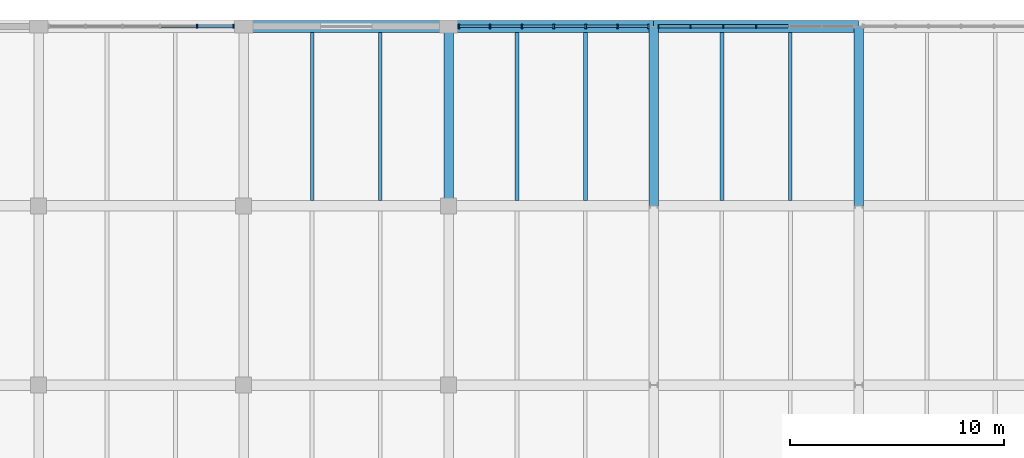
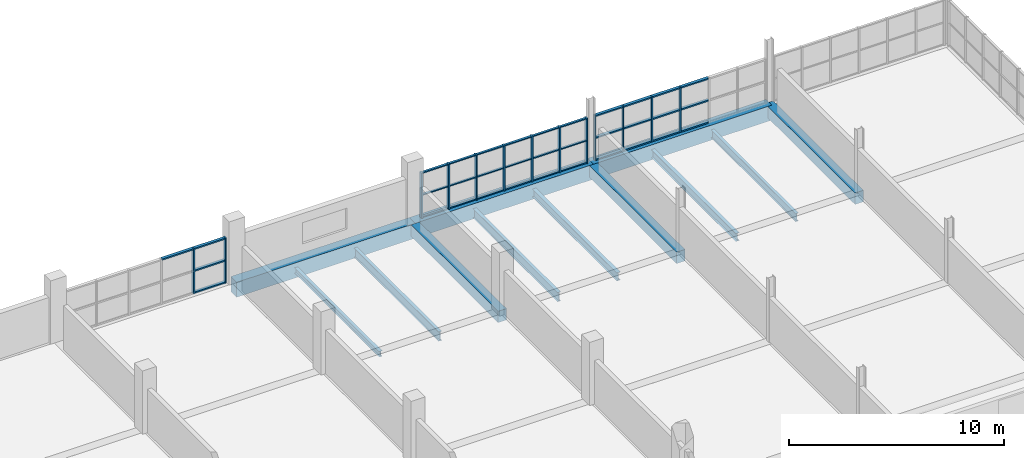
# One storey, part 86 of 147: 47 members, 12 beams, 3 elements without a shape of their own.
"""IFC4 building model written with IfcOpenShell, lengths in metres."""

from ifc_helpers import new_model, si_unit, direction, frame, origin, origin_2d, place, context, subcontext, project, spatial, rectangle, i_section, extrude, material, material_profile, profile_set, type_object, element, aggregate, save


model = new_model("IFC4")

# Units and contexts
model_context = context("Model", 3, precision=1e-05, world=origin(), true_north=direction((0.0, 1.0)))
body_context = subcontext(model_context, "Body", "Model", "MODEL_VIEW")
ifc_project = project(units=[si_unit("LENGTHUNIT", "METRE"), si_unit("AREAUNIT", "SQUARE_METRE"), si_unit("VOLUMEUNIT", "CUBIC_METRE"), si_unit("PLANEANGLEUNIT", "RADIAN"), si_unit("MASSUNIT", "GRAM", prefix="KILO")], contexts=[model_context])

# Site, building, storey
site_placement = place(None, origin())
site = spatial("IfcSite", under=ifc_project, at=site_placement, CompositionType="ELEMENT")
building_placement = place(site_placement, origin())
building = spatial("IfcBuilding", under=site, at=building_placement, Name="Oolite Switchyard Hospital", CompositionType="ELEMENT")
storey_placement = place(building_placement, frame((0.0, 0.0, 9.89990234375)))
storey = spatial("IfcBuildingStorey", under=building, at=storey_placement, Name="L02", CompositionType="ELEMENT", Elevation=9.89990234375)

# Beams
ifc_material_1 = material(Name="Concrete C40/50", Category="concrete")
ifc_material_profile_1 = material_profile(ifc_material_1, rectangle(XDim=0.449951171875, YDim=0.64990234375, at=origin_2d()), Name="RCB450X650")
ifc_profile_set_1 = profile_set([ifc_material_profile_1], Name="Concrete C40/50")
beam_type_1 = type_object("IfcBeamType", Name="BM-RC450X650", PredefinedType="BEAM", material=ifc_profile_set_1)
for number, where, z_axis, x_axis, name in (
    (1, (48.0, 126.0, -0.324951171875), (0.0, 1.0, 0.0), (-1.0, 0.0, 0.0), "L02 Y-Girder 1339"),
    (2, (57.60009765625, 126.0, -0.324951171875), (0.0, 1.0, 0.0), (-1.0, 0.0, 0.0), "L02 Y-Girder 1355"),
    (3, (67.199951171875, 126.0, -0.324951171875), (0.0, 1.0, 0.0), (-1.0, 0.0, 0.0), "L02 Y-Girder 1366"),
):
    element("IfcBeam", number, at=place(storey_placement, frame(where, z_axis=z_axis, x_axis=x_axis)), inside=storey, type_object=beam_type_1, Name=name, PredefinedType="BEAM", context=body_context, shape_type="SweptSolid", body=[
        extrude(rectangle(XDim=0.449951171875, YDim=0.64990234375, at=origin_2d()), origin(), (0.0, 0.0, 1.0), 8.39990234375),
    ])
ifc_material_profile_2 = material_profile(ifc_material_1, rectangle(XDim=0.550048828125, YDim=0.85009765625, at=origin_2d()), Name="RCB550X850")
ifc_profile_set_2 = profile_set([ifc_material_profile_2], Name="Concrete C40/50")
beam_type_2 = type_object("IfcBeamType", Name="BM-RC550X850", PredefinedType="BEAM", material=ifc_profile_set_2)
for number, where, z_axis, x_axis, name in (
    (4, (38.39990234375, 134.39990234375, -0.4248046875), (1.0, 0.0, 0.0), (0.0, 1.0, 0.0), "L02 X-Girder 1238"),
    (5, (48.0, 134.39990234375, -0.4248046875), (1.0, 0.0, 0.0), (0.0, 1.0, 0.0), "L02 X-Girder 1239"),
):
    element("IfcBeam", number, at=place(storey_placement, frame(where, z_axis=z_axis, x_axis=x_axis)), inside=storey, type_object=beam_type_2, Name=name, PredefinedType="BEAM", context=body_context, shape_type="SweptSolid", body=[
        extrude(rectangle(XDim=0.550048828125, YDim=0.85009765625, at=origin_2d()), origin(), (0.0, 0.0, 1.0), 9.60009765625),
    ])
beam_1_placement = place(storey_placement, frame((57.60009765625, 134.39990234375, -0.4248046875), z_axis=(1.0, 0.0, 0.0), x_axis=(0.0, 1.0, 0.0)))
element("IfcBeam", 6, at=beam_1_placement, inside=storey, type_object=beam_type_2, Name="L02 X-Girder 1240", PredefinedType="BEAM", context=body_context, shape_type="SweptSolid", body=[
    extrude(rectangle(XDim=0.550048828125, YDim=0.85009765625, at=origin_2d()), origin(), (0.0, 0.0, 1.0), 9.599853515625),
])
ifc_material_2 = material(Name="Steel ASTM A992 Grade 50", Category="steel")
ifc_material_profile_3 = material_profile(ifc_material_2, i_section(OverallWidth=0.1650390625, OverallDepth=0.31005859375, WebThickness=0.006103515625, FlangeThickness=0.010009765625, at=origin_2d()), Name="W12X26")
ifc_profile_set_3 = profile_set([ifc_material_profile_3], Name="Steel ASTM A992 Grade 50")
beam_type_3 = type_object("IfcBeamType", Name="BM-W12X26", PredefinedType="JOIST", material=ifc_profile_set_3)
beam_2_placement = place(storey_placement, frame((41.60009765625, 126.25, -0.414794921875), z_axis=(0.0, 1.0, 0.0), x_axis=(-1.0, 0.0, 0.0)))
element("IfcBeam", 7, at=beam_2_placement, inside=storey, type_object=beam_type_3, Name="L02 Secondary Steel Joist 1650", PredefinedType="JOIST", context=body_context, shape_type="SweptSolid", body=[
    extrude(i_section(OverallWidth=0.1650390625, OverallDepth=0.31005859375, WebThickness=0.006103515625, FlangeThickness=0.010009765625, at=origin_2d()), origin(), (0.0, 0.0, 1.0), 7.875),
])
ifc_material_profile_4 = material_profile(ifc_material_2, i_section(OverallWidth=0.153076171875, OverallDepth=0.455078125, WebThickness=0.008056640625, FlangeThickness=0.012939453125, at=origin_2d()), Name="W18X40")
ifc_profile_set_4 = profile_set([ifc_material_profile_4], Name="Steel ASTM A992 Grade 50")
beam_type_4 = type_object("IfcBeamType", Name="BM-W18X40", PredefinedType="JOIST", material=ifc_profile_set_4)
beam_3_placement = place(storey_placement, frame((64.0, 126.25, -0.48681640625), z_axis=(0.0, 1.0, 0.0), x_axis=(-1.0, 0.0, 0.0)))
element("IfcBeam", 8, at=beam_3_placement, inside=storey, type_object=beam_type_4, Name="L02 Secondary Steel Joist 1697", PredefinedType="JOIST", context=body_context, shape_type="SweptSolid", body=[
    extrude(i_section(OverallWidth=0.153076171875, OverallDepth=0.455078125, WebThickness=0.008056640625, FlangeThickness=0.012939453125, at=origin_2d()), origin(), (0.0, 0.0, 1.0), 7.875),
])
ifc_material_profile_5 = material_profile(ifc_material_2, i_section(OverallWidth=0.19091796875, OverallDepth=0.4599609375, WebThickness=0.010009765625, FlangeThickness=0.01611328125, at=origin_2d()), Name="W18X55")
ifc_profile_set_5 = profile_set([ifc_material_profile_5], Name="Steel ASTM A992 Grade 50")
beam_type_5 = type_object("IfcBeamType", Name="BM-W18X55", PredefinedType="JOIST", material=ifc_profile_set_5)
for number, where, z_axis, x_axis, name in (
    (9, (54.39990234375, 126.25, -0.489990234375), (0.0, 1.0, 0.0), (-1.0, 0.0, 0.0), "L02 Secondary Steel Joist 1679"),
    (10, (60.800048828125, 126.25, -0.489990234375), (0.0, 1.0, 0.0), (-1.0, 0.0, 0.0), "L02 Secondary Steel Joist 1696"),
):
    element("IfcBeam", number, at=place(storey_placement, frame(where, z_axis=z_axis, x_axis=x_axis)), inside=storey, type_object=beam_type_5, Name=name, PredefinedType="JOIST", context=body_context, shape_type="SweptSolid", body=[
        extrude(i_section(OverallWidth=0.19091796875, OverallDepth=0.4599609375, WebThickness=0.010009765625, FlangeThickness=0.01611328125, at=origin_2d()), origin(), (0.0, 0.0, 1.0), 7.875),
    ])
ifc_material_profile_6 = material_profile(ifc_material_2, i_section(OverallWidth=0.166015625, OverallDepth=0.529052734375, WebThickness=0.010009765625, FlangeThickness=0.013916015625, at=origin_2d()), Name="W21X50")
ifc_profile_set_6 = profile_set([ifc_material_profile_6], Name="Steel ASTM A992 Grade 50")
beam_type_6 = type_object("IfcBeamType", Name="BM-W21X50", PredefinedType="JOIST", material=ifc_profile_set_6)
for number, where, z_axis, x_axis, name in (
    (11, (44.800048828125, 126.25, -0.52392578125), (0.0, 1.0, 0.0), (-1.0, 0.0, 0.0), "L02 Secondary Steel Joist 1651"),
    (12, (51.199951171875, 126.25, -0.52392578125), (0.0, 1.0, 0.0), (-1.0, 0.0, 0.0), "L02 Secondary Steel Joist 1678"),
):
    element("IfcBeam", number, at=place(storey_placement, frame(where, z_axis=z_axis, x_axis=x_axis)), inside=storey, type_object=beam_type_6, Name=name, PredefinedType="JOIST", context=body_context, shape_type="SweptSolid", body=[
        extrude(i_section(OverallWidth=0.166015625, OverallDepth=0.529052734375, WebThickness=0.010009765625, FlangeThickness=0.013916015625, at=origin_2d()), origin(), (0.0, 0.0, 1.0), 7.875),
    ])

# Curtain wall, members
ifc_material_3 = material(Name="Thermally broken aluminum frame with laminated impact glazing", Category="aluminium")
curtain_wall_type = type_object("IfcCurtainWallType", Name="CW-UNIT-96X36", PredefinedType="USERDEFINED", material=ifc_material_3)
curtain_wall_1_placement = place(storey_placement, origin())
curtain_wall_1 = element("IfcCurtainWall", 13, at=curtain_wall_1_placement, inside=storey, type_object=curtain_wall_type, Name="L02 Unitised Curtain Wall 271", ObjectType="UNITISED", PredefinedType="USERDEFINED")
ifc_material_4 = material(Name="Aluminium 6063-T6", Category="aluminium")
ifc_material_profile_7 = material_profile(ifc_material_4, rectangle(XDim=0.159912109375, YDim=0.06005859375, at=origin_2d()), Name="CWM60X160")
ifc_profile_set_7 = profile_set([ifc_material_profile_7], Name="Aluminium 6063-T6")
member_type_1 = type_object("IfcMemberType", Name="CW-MUL-180", PredefinedType="MULLION", material=ifc_profile_set_7)
member_1_placement = place(storey_placement, frame((57.822998046875, 134.39990234375, 0.0), z_axis=(0.0, 0.0, 1.0), x_axis=(0.0, 1.0, 0.0)))
member_1 = element("IfcMember", 14, at=member_1_placement, type_object=member_type_1, Name="CW-03 mullion 1", PredefinedType="MULLION", context=body_context, shape_type="SweptSolid", body=[
    extrude(rectangle(XDim=0.159912109375, YDim=0.06005859375, at=origin_2d()), origin(), (0.0, 0.0, 1.0), 2.570068359375),
])
member_2_placement = place(storey_placement, frame((59.32861328125, 134.39990234375, 0.0), z_axis=(0.0, 0.0, 1.0), x_axis=(0.0, 1.0, 0.0)))
member_2 = element("IfcMember", 15, at=member_2_placement, type_object=member_type_1, Name="CW-03 mullion 2", PredefinedType="MULLION", context=body_context, shape_type="SweptSolid", body=[
    extrude(rectangle(XDim=0.159912109375, YDim=0.06005859375, at=origin_2d()), origin(), (0.0, 0.0, 1.0), 2.570068359375),
])
member_3_placement = place(storey_placement, frame((60.8642578125, 134.39990234375, 0.0), z_axis=(0.0, 0.0, 1.0), x_axis=(0.0, 1.0, 0.0)))
member_3 = element("IfcMember", 16, at=member_3_placement, type_object=member_type_1, Name="CW-03 mullion 3", PredefinedType="MULLION", context=body_context, shape_type="SweptSolid", body=[
    extrude(rectangle(XDim=0.159912109375, YDim=0.06005859375, at=origin_2d()), origin(), (0.0, 0.0, 1.0), 2.570068359375),
])
member_4_placement = place(storey_placement, frame((62.39990234375, 134.39990234375, 0.0), z_axis=(0.0, 0.0, 1.0), x_axis=(0.0, 1.0, 0.0)))
member_4 = element("IfcMember", 17, at=member_4_placement, type_object=member_type_1, Name="CW-03 mullion 4", PredefinedType="MULLION", context=body_context, shape_type="SweptSolid", body=[
    extrude(rectangle(XDim=0.159912109375, YDim=0.06005859375, at=origin_2d()), origin(), (0.0, 0.0, 1.0), 2.570068359375),
])

curtain_wall_2_placement = place(storey_placement, origin())
curtain_wall_2 = element("IfcCurtainWall", 18, at=curtain_wall_2_placement, inside=storey, type_object=curtain_wall_type, Name="L02 Unitised Curtain Wall 269", ObjectType="UNITISED", PredefinedType="USERDEFINED")
ifc_material_profile_8 = material_profile(ifc_material_4, rectangle(XDim=0.179931640625, YDim=0.070068359375, at=origin_2d()), Name="CWM70X180")
ifc_profile_set_8 = profile_set([ifc_material_profile_8], Name="Aluminium 6063-T6")
member_type_2 = type_object("IfcMemberType", Name="CW-MUL-220", PredefinedType="MULLION", material=ifc_profile_set_8)
member_5_placement = place(storey_placement, frame((36.216064453125, 134.39990234375, 0.0), z_axis=(0.0, 0.0, 1.0), x_axis=(0.0, 1.0, 0.0)))
member_5 = element("IfcMember", 19, at=member_5_placement, type_object=member_type_2, Name="CW-03 mullion 5", PredefinedType="MULLION", context=body_context, shape_type="SweptSolid", body=[
    extrude(rectangle(XDim=0.179931640625, YDim=0.070068359375, at=origin_2d()), origin(), (0.0, 0.0, 1.0), 2.570068359375),
])
member_6_placement = place(storey_placement, frame((37.925048828125, 134.39990234375, 0.0), z_axis=(0.0, 0.0, 1.0), x_axis=(0.0, 1.0, 0.0)))
member_6 = element("IfcMember", 20, at=member_6_placement, type_object=member_type_2, Name="CW-03 mullion 6", PredefinedType="MULLION", context=body_context, shape_type="SweptSolid", body=[
    extrude(rectangle(XDim=0.179931640625, YDim=0.070068359375, at=origin_2d()), origin(), (0.0, 0.0, 1.0), 2.570068359375),
])

curtain_wall_3_placement = place(storey_placement, origin())
curtain_wall_3 = element("IfcCurtainWall", 21, at=curtain_wall_3_placement, inside=storey, type_object=curtain_wall_type, Name="L02 Unitised Curtain Wall 270", ObjectType="UNITISED", PredefinedType="USERDEFINED")
ifc_material_profile_9 = material_profile(ifc_material_4, rectangle(XDim=0.199951171875, YDim=0.074951171875, at=origin_2d()), Name="CWM75X200")
ifc_profile_set_9 = profile_set([ifc_material_profile_9], Name="Aluminium 6063-T6")
member_type_3 = type_object("IfcMemberType", Name="CW-MUL-260", PredefinedType="MULLION", material=ifc_profile_set_9)
member_7_placement = place(storey_placement, frame((48.4775390625, 134.39990234375, 0.0), z_axis=(0.0, 0.0, 1.0), x_axis=(0.0, 1.0, 0.0)))
member_7 = element("IfcMember", 22, at=member_7_placement, type_object=member_type_3, Name="CW-03 mullion 1", PredefinedType="MULLION", context=body_context, shape_type="SweptSolid", body=[
    extrude(rectangle(XDim=0.199951171875, YDim=0.074951171875, at=origin_2d()), origin(), (0.0, 0.0, 1.0), 2.570068359375),
])
member_8_placement = place(storey_placement, frame((49.9345703125, 134.39990234375, 0.0), z_axis=(0.0, 0.0, 1.0), x_axis=(0.0, 1.0, 0.0)))
member_8 = element("IfcMember", 23, at=member_8_placement, type_object=member_type_3, Name="CW-03 mullion 2", PredefinedType="MULLION", context=body_context, shape_type="SweptSolid", body=[
    extrude(rectangle(XDim=0.199951171875, YDim=0.074951171875, at=origin_2d()), origin(), (0.0, 0.0, 1.0), 2.570068359375),
])
member_9_placement = place(storey_placement, frame((51.428955078125, 134.39990234375, 0.0), z_axis=(0.0, 0.0, 1.0), x_axis=(0.0, 1.0, 0.0)))
member_9 = element("IfcMember", 24, at=member_9_placement, type_object=member_type_3, Name="CW-03 mullion 3", PredefinedType="MULLION", context=body_context, shape_type="SweptSolid", body=[
    extrude(rectangle(XDim=0.199951171875, YDim=0.074951171875, at=origin_2d()), origin(), (0.0, 0.0, 1.0), 2.570068359375),
])
member_10_placement = place(storey_placement, frame((52.923583984375, 134.39990234375, 0.0), z_axis=(0.0, 0.0, 1.0), x_axis=(0.0, 1.0, 0.0)))
member_10 = element("IfcMember", 25, at=member_10_placement, type_object=member_type_3, Name="CW-03 mullion 4", PredefinedType="MULLION", context=body_context, shape_type="SweptSolid", body=[
    extrude(rectangle(XDim=0.199951171875, YDim=0.074951171875, at=origin_2d()), origin(), (0.0, 0.0, 1.0), 2.570068359375),
])
member_11_placement = place(storey_placement, frame((54.41796875, 134.39990234375, 0.0), z_axis=(0.0, 0.0, 1.0), x_axis=(0.0, 1.0, 0.0)))
member_11 = element("IfcMember", 26, at=member_11_placement, type_object=member_type_3, Name="CW-03 mullion 5", PredefinedType="MULLION", context=body_context, shape_type="SweptSolid", body=[
    extrude(rectangle(XDim=0.199951171875, YDim=0.074951171875, at=origin_2d()), origin(), (0.0, 0.0, 1.0), 2.570068359375),
])
member_12_placement = place(storey_placement, frame((55.91259765625, 134.39990234375, 0.0), z_axis=(0.0, 0.0, 1.0), x_axis=(0.0, 1.0, 0.0)))
member_12 = element("IfcMember", 27, at=member_12_placement, type_object=member_type_3, Name="CW-03 mullion 6", PredefinedType="MULLION", context=body_context, shape_type="SweptSolid", body=[
    extrude(rectangle(XDim=0.199951171875, YDim=0.074951171875, at=origin_2d()), origin(), (0.0, 0.0, 1.0), 2.570068359375),
])
member_13_placement = place(storey_placement, frame((57.369384765625, 134.39990234375, 0.0), z_axis=(0.0, 0.0, 1.0), x_axis=(0.0, 1.0, 0.0)))
member_13 = element("IfcMember", 28, at=member_13_placement, type_object=member_type_3, Name="CW-03 mullion 7", PredefinedType="MULLION", context=body_context, shape_type="SweptSolid", body=[
    extrude(rectangle(XDim=0.199951171875, YDim=0.074951171875, at=origin_2d()), origin(), (0.0, 0.0, 1.0), 2.570068359375),
])
ifc_material_profile_10 = material_profile(ifc_material_4, rectangle(XDim=0.1201171875, YDim=0.06005859375, at=origin_2d()), Name="CWT60X120")
ifc_profile_set_10 = profile_set([ifc_material_profile_10], Name="Aluminium 6063-T6")
member_type_4 = type_object("IfcMemberType", Name="CW-TRN-150", PredefinedType="USERDEFINED", material=ifc_profile_set_10)
member_14_placement = place(storey_placement, frame((48.514892578125, 134.39990234375, 0.030029296875), z_axis=(1.0, 0.0, 0.0), x_axis=(0.0, 1.0, 0.0)))
member_14 = element("IfcMember", 29, at=member_14_placement, type_object=member_type_4, Name="CW-03 transom 1.1", ObjectType="TRANSOM", PredefinedType="USERDEFINED", context=body_context, shape_type="SweptSolid", body=[
    extrude(rectangle(XDim=0.1201171875, YDim=0.06005859375, at=origin_2d()), origin(), (0.0, 0.0, 1.0), 1.382080078125),
])
member_15_placement = place(storey_placement, frame((48.514892578125, 134.39990234375, 1.28515625), z_axis=(1.0, 0.0, 0.0), x_axis=(0.0, 1.0, 0.0)))
member_15 = element("IfcMember", 30, at=member_15_placement, type_object=member_type_4, Name="CW-03 transom 1.2", ObjectType="TRANSOM", PredefinedType="USERDEFINED", context=body_context, shape_type="SweptSolid", body=[
    extrude(rectangle(XDim=0.1201171875, YDim=0.06005859375, at=origin_2d()), origin(), (0.0, 0.0, 1.0), 1.382080078125),
])
member_16_placement = place(storey_placement, frame((48.514892578125, 134.39990234375, 2.5400390625), z_axis=(1.0, 0.0, 0.0), x_axis=(0.0, 1.0, 0.0)))
member_16 = element("IfcMember", 31, at=member_16_placement, type_object=member_type_4, Name="CW-03 transom 1.3", ObjectType="TRANSOM", PredefinedType="USERDEFINED", context=body_context, shape_type="SweptSolid", body=[
    extrude(rectangle(XDim=0.1201171875, YDim=0.06005859375, at=origin_2d()), origin(), (0.0, 0.0, 1.0), 1.382080078125),
])
member_17_placement = place(storey_placement, frame((49.971923828125, 134.39990234375, 0.030029296875), z_axis=(1.0, 0.0, 0.0), x_axis=(0.0, 1.0, 0.0)))
member_17 = element("IfcMember", 32, at=member_17_placement, type_object=member_type_4, Name="CW-03 transom 2.1", ObjectType="TRANSOM", PredefinedType="USERDEFINED", context=body_context, shape_type="SweptSolid", body=[
    extrude(rectangle(XDim=0.1201171875, YDim=0.06005859375, at=origin_2d()), origin(), (0.0, 0.0, 1.0), 1.419677734375),
])
member_18_placement = place(storey_placement, frame((49.971923828125, 134.39990234375, 1.28515625), z_axis=(1.0, 0.0, 0.0), x_axis=(0.0, 1.0, 0.0)))
member_18 = element("IfcMember", 33, at=member_18_placement, type_object=member_type_4, Name="CW-03 transom 2.2", ObjectType="TRANSOM", PredefinedType="USERDEFINED", context=body_context, shape_type="SweptSolid", body=[
    extrude(rectangle(XDim=0.1201171875, YDim=0.06005859375, at=origin_2d()), origin(), (0.0, 0.0, 1.0), 1.419677734375),
])
member_19_placement = place(storey_placement, frame((49.971923828125, 134.39990234375, 2.5400390625), z_axis=(1.0, 0.0, 0.0), x_axis=(0.0, 1.0, 0.0)))
member_19 = element("IfcMember", 34, at=member_19_placement, type_object=member_type_4, Name="CW-03 transom 2.3", ObjectType="TRANSOM", PredefinedType="USERDEFINED", context=body_context, shape_type="SweptSolid", body=[
    extrude(rectangle(XDim=0.1201171875, YDim=0.06005859375, at=origin_2d()), origin(), (0.0, 0.0, 1.0), 1.419677734375),
])
member_20_placement = place(storey_placement, frame((51.466552734375, 134.39990234375, 0.030029296875), z_axis=(1.0, 0.0, 0.0), x_axis=(0.0, 1.0, 0.0)))
member_20 = element("IfcMember", 35, at=member_20_placement, type_object=member_type_4, Name="CW-03 transom 3.1", ObjectType="TRANSOM", PredefinedType="USERDEFINED", context=body_context, shape_type="SweptSolid", body=[
    extrude(rectangle(XDim=0.1201171875, YDim=0.06005859375, at=origin_2d()), origin(), (0.0, 0.0, 1.0), 1.41943359375),
])
member_21_placement = place(storey_placement, frame((51.466552734375, 134.39990234375, 1.28515625), z_axis=(1.0, 0.0, 0.0), x_axis=(0.0, 1.0, 0.0)))
member_21 = element("IfcMember", 36, at=member_21_placement, type_object=member_type_4, Name="CW-03 transom 3.2", ObjectType="TRANSOM", PredefinedType="USERDEFINED", context=body_context, shape_type="SweptSolid", body=[
    extrude(rectangle(XDim=0.1201171875, YDim=0.06005859375, at=origin_2d()), origin(), (0.0, 0.0, 1.0), 1.41943359375),
])
member_22_placement = place(storey_placement, frame((51.466552734375, 134.39990234375, 2.5400390625), z_axis=(1.0, 0.0, 0.0), x_axis=(0.0, 1.0, 0.0)))
member_22 = element("IfcMember", 37, at=member_22_placement, type_object=member_type_4, Name="CW-03 transom 3.3", ObjectType="TRANSOM", PredefinedType="USERDEFINED", context=body_context, shape_type="SweptSolid", body=[
    extrude(rectangle(XDim=0.1201171875, YDim=0.06005859375, at=origin_2d()), origin(), (0.0, 0.0, 1.0), 1.41943359375),
])
member_23_placement = place(storey_placement, frame((52.9609375, 134.39990234375, 0.030029296875), z_axis=(1.0, 0.0, 0.0), x_axis=(0.0, 1.0, 0.0)))
member_23 = element("IfcMember", 38, at=member_23_placement, type_object=member_type_4, Name="CW-03 transom 4.1", ObjectType="TRANSOM", PredefinedType="USERDEFINED", context=body_context, shape_type="SweptSolid", body=[
    extrude(rectangle(XDim=0.1201171875, YDim=0.06005859375, at=origin_2d()), origin(), (0.0, 0.0, 1.0), 1.419677734375),
])
member_24_placement = place(storey_placement, frame((52.9609375, 134.39990234375, 1.28515625), z_axis=(1.0, 0.0, 0.0), x_axis=(0.0, 1.0, 0.0)))
member_24 = element("IfcMember", 39, at=member_24_placement, type_object=member_type_4, Name="CW-03 transom 4.2", ObjectType="TRANSOM", PredefinedType="USERDEFINED", context=body_context, shape_type="SweptSolid", body=[
    extrude(rectangle(XDim=0.1201171875, YDim=0.06005859375, at=origin_2d()), origin(), (0.0, 0.0, 1.0), 1.419677734375),
])
member_25_placement = place(storey_placement, frame((52.9609375, 134.39990234375, 2.5400390625), z_axis=(1.0, 0.0, 0.0), x_axis=(0.0, 1.0, 0.0)))
member_25 = element("IfcMember", 40, at=member_25_placement, type_object=member_type_4, Name="CW-03 transom 4.3", ObjectType="TRANSOM", PredefinedType="USERDEFINED", context=body_context, shape_type="SweptSolid", body=[
    extrude(rectangle(XDim=0.1201171875, YDim=0.06005859375, at=origin_2d()), origin(), (0.0, 0.0, 1.0), 1.419677734375),
])
member_26_placement = place(storey_placement, frame((54.45556640625, 134.39990234375, 0.030029296875), z_axis=(1.0, 0.0, 0.0), x_axis=(0.0, 1.0, 0.0)))
member_26 = element("IfcMember", 41, at=member_26_placement, type_object=member_type_4, Name="CW-03 transom 5.1", ObjectType="TRANSOM", PredefinedType="USERDEFINED", context=body_context, shape_type="SweptSolid", body=[
    extrude(rectangle(XDim=0.1201171875, YDim=0.06005859375, at=origin_2d()), origin(), (0.0, 0.0, 1.0), 1.41943359375),
])
member_27_placement = place(storey_placement, frame((54.45556640625, 134.39990234375, 1.28515625), z_axis=(1.0, 0.0, 0.0), x_axis=(0.0, 1.0, 0.0)))
member_27 = element("IfcMember", 42, at=member_27_placement, type_object=member_type_4, Name="CW-03 transom 5.2", ObjectType="TRANSOM", PredefinedType="USERDEFINED", context=body_context, shape_type="SweptSolid", body=[
    extrude(rectangle(XDim=0.1201171875, YDim=0.06005859375, at=origin_2d()), origin(), (0.0, 0.0, 1.0), 1.41943359375),
])
member_28_placement = place(storey_placement, frame((54.45556640625, 134.39990234375, 2.5400390625), z_axis=(1.0, 0.0, 0.0), x_axis=(0.0, 1.0, 0.0)))
member_28 = element("IfcMember", 43, at=member_28_placement, type_object=member_type_4, Name="CW-03 transom 5.3", ObjectType="TRANSOM", PredefinedType="USERDEFINED", context=body_context, shape_type="SweptSolid", body=[
    extrude(rectangle(XDim=0.1201171875, YDim=0.06005859375, at=origin_2d()), origin(), (0.0, 0.0, 1.0), 1.41943359375),
])
member_29_placement = place(storey_placement, frame((55.949951171875, 134.39990234375, 0.030029296875), z_axis=(1.0, 0.0, 0.0), x_axis=(0.0, 1.0, 0.0)))
member_29 = element("IfcMember", 44, at=member_29_placement, type_object=member_type_4, Name="CW-03 transom 6.1", ObjectType="TRANSOM", PredefinedType="USERDEFINED", context=body_context, shape_type="SweptSolid", body=[
    extrude(rectangle(XDim=0.1201171875, YDim=0.06005859375, at=origin_2d()), origin(), (0.0, 0.0, 1.0), 1.382080078125),
])
member_30_placement = place(storey_placement, frame((55.949951171875, 134.39990234375, 1.28515625), z_axis=(1.0, 0.0, 0.0), x_axis=(0.0, 1.0, 0.0)))
member_30 = element("IfcMember", 45, at=member_30_placement, type_object=member_type_4, Name="CW-03 transom 6.2", ObjectType="TRANSOM", PredefinedType="USERDEFINED", context=body_context, shape_type="SweptSolid", body=[
    extrude(rectangle(XDim=0.1201171875, YDim=0.06005859375, at=origin_2d()), origin(), (0.0, 0.0, 1.0), 1.382080078125),
])
member_31_placement = place(storey_placement, frame((55.949951171875, 134.39990234375, 2.5400390625), z_axis=(1.0, 0.0, 0.0), x_axis=(0.0, 1.0, 0.0)))
member_31 = element("IfcMember", 46, at=member_31_placement, type_object=member_type_4, Name="CW-03 transom 6.3", ObjectType="TRANSOM", PredefinedType="USERDEFINED", context=body_context, shape_type="SweptSolid", body=[
    extrude(rectangle(XDim=0.1201171875, YDim=0.06005859375, at=origin_2d()), origin(), (0.0, 0.0, 1.0), 1.382080078125),
])
aggregate(curtain_wall_3, [member_7, member_8, member_9, member_10, member_11, member_12, member_13, member_14, member_15, member_16, member_17, member_18, member_19, member_20, member_21, member_22, member_23, member_24, member_25, member_26, member_27, member_28, member_29, member_30, member_31])

# Member
ifc_material_profile_11 = material_profile(ifc_material_4, rectangle(XDim=0.159912109375, YDim=0.074951171875, at=origin_2d()), Name="CWT75X160")
ifc_profile_set_11 = profile_set([ifc_material_profile_11], Name="Aluminium 6063-T6")
member_type_5 = type_object("IfcMemberType", Name="CW-TRN-180", PredefinedType="USERDEFINED", material=ifc_profile_set_11)
member_32_placement = place(storey_placement, frame((34.507080078125, 134.39990234375, 2.53271484375), z_axis=(1.0, 0.0, 0.0), x_axis=(0.0, 1.0, 0.0)))
member_32 = element("IfcMember", 47, at=member_32_placement, type_object=member_type_5, Name="CW-03 transom 4.3", ObjectType="TRANSOM", PredefinedType="USERDEFINED", context=body_context, shape_type="SweptSolid", body=[
    extrude(rectangle(XDim=0.159912109375, YDim=0.074951171875, at=origin_2d()), origin(), (0.0, 0.0, 1.0), 1.673828125),
])

member_33_placement = place(storey_placement, frame((36.2509765625, 134.39990234375, 0.03759765625), z_axis=(1.0, 0.0, 0.0), x_axis=(0.0, 1.0, 0.0)))
member_33 = element("IfcMember", 48, at=member_33_placement, type_object=member_type_5, Name="CW-03 transom 5.1", ObjectType="TRANSOM", PredefinedType="USERDEFINED", context=body_context, shape_type="SweptSolid", body=[
    extrude(rectangle(XDim=0.159912109375, YDim=0.074951171875, at=origin_2d()), origin(), (0.0, 0.0, 1.0), 1.638916015625),
])

member_34_placement = place(storey_placement, frame((36.2509765625, 134.39990234375, 1.28515625), z_axis=(1.0, 0.0, 0.0), x_axis=(0.0, 1.0, 0.0)))
member_34 = element("IfcMember", 49, at=member_34_placement, type_object=member_type_5, Name="CW-03 transom 5.2", ObjectType="TRANSOM", PredefinedType="USERDEFINED", context=body_context, shape_type="SweptSolid", body=[
    extrude(rectangle(XDim=0.159912109375, YDim=0.074951171875, at=origin_2d()), origin(), (0.0, 0.0, 1.0), 1.638916015625),
])

member_35_placement = place(storey_placement, frame((36.2509765625, 134.39990234375, 2.53271484375), z_axis=(1.0, 0.0, 0.0), x_axis=(0.0, 1.0, 0.0)))
member_35 = element("IfcMember", 50, at=member_35_placement, type_object=member_type_5, Name="CW-03 transom 5.3", ObjectType="TRANSOM", PredefinedType="USERDEFINED", context=body_context, shape_type="SweptSolid", body=[
    extrude(rectangle(XDim=0.159912109375, YDim=0.074951171875, at=origin_2d()), origin(), (0.0, 0.0, 1.0), 1.638916015625),
])

aggregate(curtain_wall_2, [member_5, member_6, member_32, member_33, member_34, member_35])

member_36_placement = place(storey_placement, frame((57.85302734375, 134.39990234375, 0.03759765625), z_axis=(1.0, 0.0, 0.0), x_axis=(0.0, 1.0, 0.0)))
member_36 = element("IfcMember", 51, at=member_36_placement, type_object=member_type_5, Name="CW-03 transom 1.1", ObjectType="TRANSOM", PredefinedType="USERDEFINED", context=body_context, shape_type="SweptSolid", body=[
    extrude(rectangle(XDim=0.159912109375, YDim=0.074951171875, at=origin_2d()), origin(), (0.0, 0.0, 1.0), 1.445556640625),
])

member_37_placement = place(storey_placement, frame((57.85302734375, 134.39990234375, 1.28515625), z_axis=(1.0, 0.0, 0.0), x_axis=(0.0, 1.0, 0.0)))
member_37 = element("IfcMember", 52, at=member_37_placement, type_object=member_type_5, Name="CW-03 transom 1.2", ObjectType="TRANSOM", PredefinedType="USERDEFINED", context=body_context, shape_type="SweptSolid", body=[
    extrude(rectangle(XDim=0.159912109375, YDim=0.074951171875, at=origin_2d()), origin(), (0.0, 0.0, 1.0), 1.445556640625),
])

member_38_placement = place(storey_placement, frame((57.85302734375, 134.39990234375, 2.53271484375), z_axis=(1.0, 0.0, 0.0), x_axis=(0.0, 1.0, 0.0)))
member_38 = element("IfcMember", 53, at=member_38_placement, type_object=member_type_5, Name="CW-03 transom 1.3", ObjectType="TRANSOM", PredefinedType="USERDEFINED", context=body_context, shape_type="SweptSolid", body=[
    extrude(rectangle(XDim=0.159912109375, YDim=0.074951171875, at=origin_2d()), origin(), (0.0, 0.0, 1.0), 1.445556640625),
])

member_39_placement = place(storey_placement, frame((59.358642578125, 134.39990234375, 0.03759765625), z_axis=(1.0, 0.0, 0.0), x_axis=(0.0, 1.0, 0.0)))
member_39 = element("IfcMember", 54, at=member_39_placement, type_object=member_type_5, Name="CW-03 transom 2.1", ObjectType="TRANSOM", PredefinedType="USERDEFINED", context=body_context, shape_type="SweptSolid", body=[
    extrude(rectangle(XDim=0.159912109375, YDim=0.074951171875, at=origin_2d()), origin(), (0.0, 0.0, 1.0), 1.4755859375),
])

member_40_placement = place(storey_placement, frame((59.358642578125, 134.39990234375, 1.28515625), z_axis=(1.0, 0.0, 0.0), x_axis=(0.0, 1.0, 0.0)))
member_40 = element("IfcMember", 55, at=member_40_placement, type_object=member_type_5, Name="CW-03 transom 2.2", ObjectType="TRANSOM", PredefinedType="USERDEFINED", context=body_context, shape_type="SweptSolid", body=[
    extrude(rectangle(XDim=0.159912109375, YDim=0.074951171875, at=origin_2d()), origin(), (0.0, 0.0, 1.0), 1.4755859375),
])

member_41_placement = place(storey_placement, frame((59.358642578125, 134.39990234375, 2.53271484375), z_axis=(1.0, 0.0, 0.0), x_axis=(0.0, 1.0, 0.0)))
member_41 = element("IfcMember", 56, at=member_41_placement, type_object=member_type_5, Name="CW-03 transom 2.3", ObjectType="TRANSOM", PredefinedType="USERDEFINED", context=body_context, shape_type="SweptSolid", body=[
    extrude(rectangle(XDim=0.159912109375, YDim=0.074951171875, at=origin_2d()), origin(), (0.0, 0.0, 1.0), 1.4755859375),
])

member_42_placement = place(storey_placement, frame((60.894287109375, 134.39990234375, 0.03759765625), z_axis=(1.0, 0.0, 0.0), x_axis=(0.0, 1.0, 0.0)))
member_42 = element("IfcMember", 57, at=member_42_placement, type_object=member_type_5, Name="CW-03 transom 3.1", ObjectType="TRANSOM", PredefinedType="USERDEFINED", context=body_context, shape_type="SweptSolid", body=[
    extrude(rectangle(XDim=0.159912109375, YDim=0.074951171875, at=origin_2d()), origin(), (0.0, 0.0, 1.0), 1.475830078125),
])

member_43_placement = place(storey_placement, frame((60.894287109375, 134.39990234375, 1.28515625), z_axis=(1.0, 0.0, 0.0), x_axis=(0.0, 1.0, 0.0)))
member_43 = element("IfcMember", 58, at=member_43_placement, type_object=member_type_5, Name="CW-03 transom 3.2", ObjectType="TRANSOM", PredefinedType="USERDEFINED", context=body_context, shape_type="SweptSolid", body=[
    extrude(rectangle(XDim=0.159912109375, YDim=0.074951171875, at=origin_2d()), origin(), (0.0, 0.0, 1.0), 1.475830078125),
])

member_44_placement = place(storey_placement, frame((60.894287109375, 134.39990234375, 2.53271484375), z_axis=(1.0, 0.0, 0.0), x_axis=(0.0, 1.0, 0.0)))
member_44 = element("IfcMember", 59, at=member_44_placement, type_object=member_type_5, Name="CW-03 transom 3.3", ObjectType="TRANSOM", PredefinedType="USERDEFINED", context=body_context, shape_type="SweptSolid", body=[
    extrude(rectangle(XDim=0.159912109375, YDim=0.074951171875, at=origin_2d()), origin(), (0.0, 0.0, 1.0), 1.475830078125),
])

member_45_placement = place(storey_placement, frame((62.429931640625, 134.39990234375, 0.03759765625), z_axis=(1.0, 0.0, 0.0), x_axis=(0.0, 1.0, 0.0)))
member_45 = element("IfcMember", 60, at=member_45_placement, type_object=member_type_5, Name="CW-03 transom 4.1", ObjectType="TRANSOM", PredefinedType="USERDEFINED", context=body_context, shape_type="SweptSolid", body=[
    extrude(rectangle(XDim=0.159912109375, YDim=0.074951171875, at=origin_2d()), origin(), (0.0, 0.0, 1.0), 1.475830078125),
])

member_46_placement = place(storey_placement, frame((62.429931640625, 134.39990234375, 1.28515625), z_axis=(1.0, 0.0, 0.0), x_axis=(0.0, 1.0, 0.0)))
member_46 = element("IfcMember", 61, at=member_46_placement, type_object=member_type_5, Name="CW-03 transom 4.2", ObjectType="TRANSOM", PredefinedType="USERDEFINED", context=body_context, shape_type="SweptSolid", body=[
    extrude(rectangle(XDim=0.159912109375, YDim=0.074951171875, at=origin_2d()), origin(), (0.0, 0.0, 1.0), 1.475830078125),
])

member_47_placement = place(storey_placement, frame((62.429931640625, 134.39990234375, 2.53271484375), z_axis=(1.0, 0.0, 0.0), x_axis=(0.0, 1.0, 0.0)))
member_47 = element("IfcMember", 62, at=member_47_placement, type_object=member_type_5, Name="CW-03 transom 4.3", ObjectType="TRANSOM", PredefinedType="USERDEFINED", context=body_context, shape_type="SweptSolid", body=[
    extrude(rectangle(XDim=0.159912109375, YDim=0.074951171875, at=origin_2d()), origin(), (0.0, 0.0, 1.0), 1.475830078125),
])

aggregate(curtain_wall_1, [member_1, member_2, member_3, member_4, member_36, member_37, member_38, member_39, member_40, member_41, member_42, member_43, member_44, member_45, member_46, member_47])

save(model, "model.ifc")
